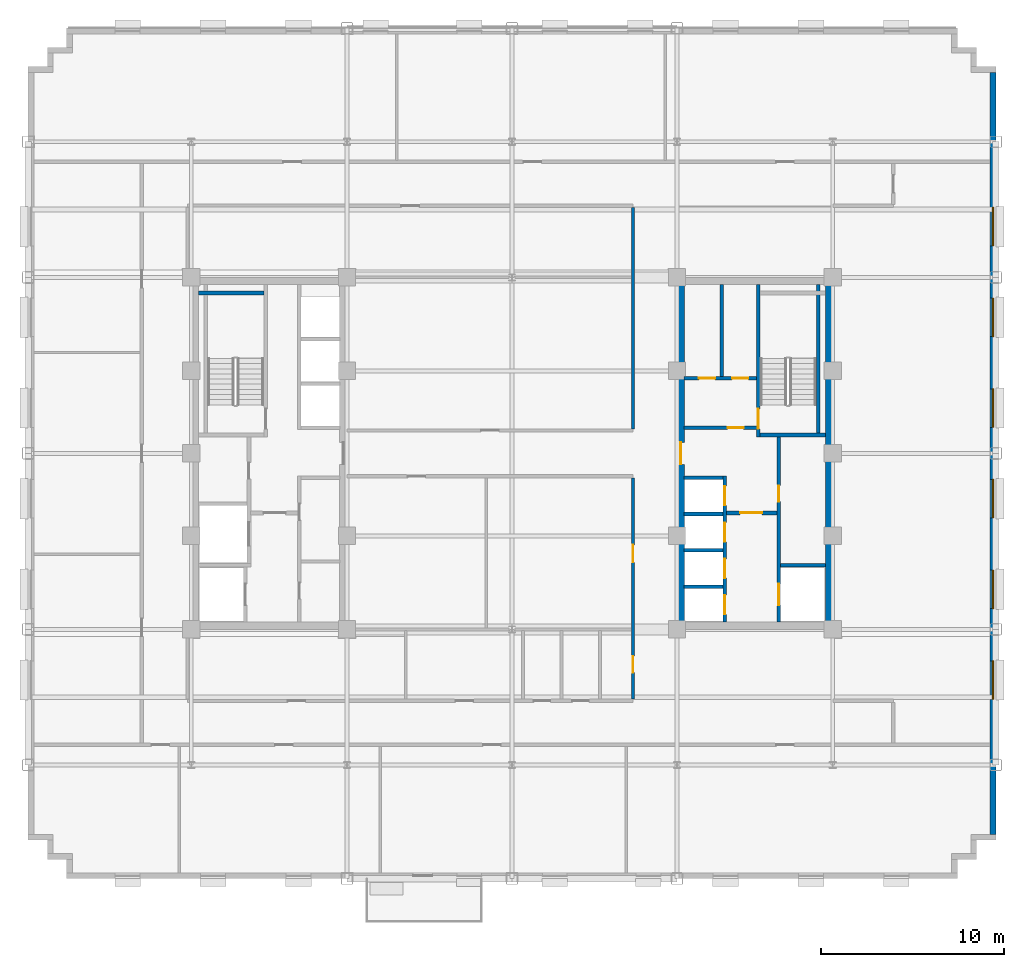
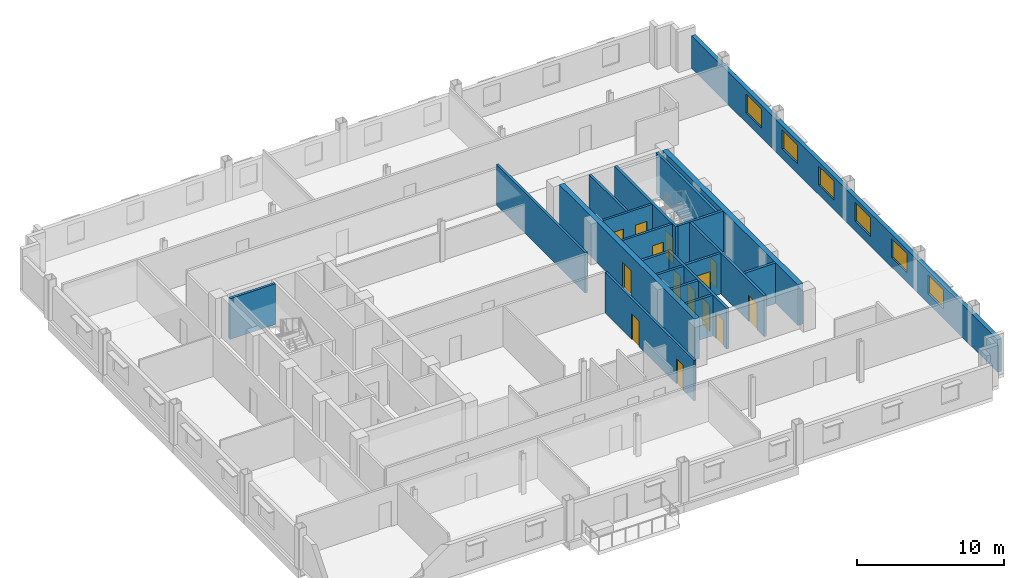
# One storey, part 8 of 13: 20 walls, 14 doors, 6 windows, 20 openings.
"""IFC4 building model written with IfcOpenShell, lengths in metres."""

from ifc_helpers import new_model, si_unit, direction, frame, frame_2d, origin, place, context, subcontext, project, spatial, rectangle, extrude, source, transform, mapped, material, layer, layer_set, type_object, type_shapes, element, fill, save


model = new_model("IFC4")

# Units and contexts
model_context = context("Model", 3, precision=1e-05, world=origin(), true_north=direction((0.0, 1.0)))
body_context = subcontext(model_context, "Body", "Model", "MODEL_VIEW")
ifc_project = project(units=[si_unit("LENGTHUNIT", "METRE"), si_unit("AREAUNIT", "SQUARE_METRE"), si_unit("VOLUMEUNIT", "CUBIC_METRE"), si_unit("PLANEANGLEUNIT", "RADIAN"), si_unit("MASSUNIT", "GRAM", prefix="KILO")], contexts=[model_context])

# Site, building, storey
site_placement = place(None, origin())
site = spatial("IfcSite", under=ifc_project, at=site_placement, CompositionType="ELEMENT")
building_placement = place(site_placement, origin())
building = spatial("IfcBuilding", under=site, at=building_placement, Name="Nuvemarco Arch Tower", CompositionType="ELEMENT")
storey_placement = place(building_placement, frame((0.0, 0.0, 149.39990234375)))
storey = spatial("IfcBuildingStorey", under=building, at=storey_placement, Name="L39", CompositionType="ELEMENT", Elevation=149.39990234375)

# Wall, openings, windows
ifc_material_1 = material(Name="Precast concrete C45/55", Category="concrete")
ifc_layer_1 = layer(ifc_material_1, 0.320068359375, Name="EW-MID-320")
ifc_layer_set_1 = layer_set([ifc_layer_1], Name="Precast concrete C45/55")
wall_type_1 = type_object("IfcWallType", Name="EW-MID-320", PredefinedType="STANDARD", material=ifc_layer_set_1)
wall_1_placement = place(storey_placement, frame((26.239990234375, -20.783935546875, 0.0), z_axis=(0.0, 0.0, 1.0), x_axis=(0.0, 1.0, 0.0)))
wall_1 = element("IfcWall", 1, at=wall_1_placement, inside=storey, type_object=wall_type_1, Name="L39 exterior precast facade wall 6", PredefinedType="STANDARD", context=body_context, shape_type="SweptSolid", body=[
    extrude(rectangle(XDim=41.56787109375, YDim=0.320068359375, at=frame_2d((20.783935546875, 0.0))), origin(), (0.0, 0.0, 1.0), 2.705078125),
])
opening_1_placement = place(wall_1_placement, frame((7.368896484375, 0.0, 0.800048828125)))
opening_1 = element("IfcOpeningElement", 2, at=opening_1_placement, cuts=wall_1, Name="Opening WN-5", PredefinedType="OPENING", context=body_context, shape_type="SweptSolid", body=[
    extrude(rectangle(XDim=2.10009765625, YDim=1.56005859375, at=frame_2d((1.050048828125, 0.780029296875))), frame((0.0, 0.169921875, 0.0), z_axis=(0.0, -1.0, 0.0), x_axis=(1.0, 0.0, 0.0)), (0.0, 0.0, 1.0), 0.340087890625),
])
opening_2_placement = place(wall_1_placement, frame((12.31494140625, 0.0, 0.800048828125)))
opening_2 = element("IfcOpeningElement", 3, at=opening_2_placement, cuts=wall_1, Name="Opening WN-5", PredefinedType="OPENING", context=body_context, shape_type="SweptSolid", body=[
    extrude(rectangle(XDim=2.10009765625, YDim=1.56005859375, at=frame_2d((1.050048828125, 0.780029296875))), frame((0.0, 0.169921875, 0.0), z_axis=(0.0, -1.0, 0.0), x_axis=(1.0, 0.0, 0.0)), (0.0, 0.0, 1.0), 0.340087890625),
])
opening_3_placement = place(wall_1_placement, frame((17.260986328125, 0.0, 0.800048828125)))
opening_3 = element("IfcOpeningElement", 4, at=opening_3_placement, cuts=wall_1, Name="Opening WN-5", PredefinedType="OPENING", context=body_context, shape_type="SweptSolid", body=[
    extrude(rectangle(XDim=2.10009765625, YDim=1.56005859375, at=frame_2d((1.050048828125, 0.780029296875))), frame((0.0, 0.169921875, 0.0), z_axis=(0.0, -1.0, 0.0), x_axis=(1.0, 0.0, 0.0)), (0.0, 0.0, 1.0), 0.340087890625),
])
opening_4_placement = place(wall_1_placement, frame((22.20703125, 0.0, 0.800048828125)))
opening_4 = element("IfcOpeningElement", 5, at=opening_4_placement, cuts=wall_1, Name="Opening WN-5", PredefinedType="OPENING", context=body_context, shape_type="SweptSolid", body=[
    extrude(rectangle(XDim=2.10009765625, YDim=1.56005859375, at=frame_2d((1.050048828125, 0.780029296875))), frame((0.0, 0.169921875, 0.0), z_axis=(0.0, -1.0, 0.0), x_axis=(1.0, 0.0, 0.0)), (0.0, 0.0, 1.0), 0.340087890625),
])
opening_5_placement = place(wall_1_placement, frame((27.153076171875, 0.0, 0.800048828125)))
opening_5 = element("IfcOpeningElement", 6, at=opening_5_placement, cuts=wall_1, Name="Opening WN-5", PredefinedType="OPENING", context=body_context, shape_type="SweptSolid", body=[
    extrude(rectangle(XDim=2.10009765625, YDim=1.56005859375, at=frame_2d((1.050048828125, 0.780029296875))), frame((0.0, 0.169921875, 0.0), z_axis=(0.0, -1.0, 0.0), x_axis=(1.0, 0.0, 0.0)), (0.0, 0.0, 1.0), 0.340087890625),
])
opening_6_placement = place(wall_1_placement, frame((32.09912109375, 0.0, 0.800048828125)))
opening_6 = element("IfcOpeningElement", 7, at=opening_6_placement, cuts=wall_1, Name="Opening WN-5", PredefinedType="OPENING", context=body_context, shape_type="SweptSolid", body=[
    extrude(rectangle(XDim=2.10009765625, YDim=1.56005859375, at=frame_2d((1.050048828125, 0.780029296875))), frame((0.0, 0.169921875, 0.0), z_axis=(0.0, -1.0, 0.0), x_axis=(1.0, 0.0, 0.0)), (0.0, 0.0, 1.0), 0.340087890625),
])
ifc_material_2 = material(Name="Insulated solar-control glass", Category="glass")
window_type = type_object("IfcWindowType", Name="WN-MID-2100x1560", PartitioningType="DOUBLE_PANEL_VERTICAL", PredefinedType="WINDOW", material=ifc_material_2)
shared_shape_1 = source(origin(), body_context, "Body", "SweptSolid", [
    extrude(rectangle(XDim=2.10009765625, YDim=1.56005859375, at=frame_2d((1.050048828125, 0.780029296875))), frame((0.0, 0.030029296875, 0.0), z_axis=(0.0, -1.0, 0.0), x_axis=(1.0, 0.0, 0.0)), (0.0, 0.0, 1.0), 0.06005859375),
])
type_shapes(window_type, [shared_shape_1])
window_1_placement = place(opening_1_placement, origin())
window_1 = element("IfcWindow", 8, at=window_1_placement, inside=storey, type_object=window_type, Name="L39 punched facade window 2", OverallHeight=1.56005859375, OverallWidth=2.10009765625, PartitioningType="SINGLE_PANEL", PredefinedType="WINDOW", context=body_context, shape_type="MappedRepresentation", body=[
    mapped(shared_shape_1, transform((0.0, 0.0, 0.0), scale=1.0)),
])
fill(opening_1, window_1)
window_2_placement = place(opening_2_placement, origin())
window_2 = element("IfcWindow", 9, at=window_2_placement, inside=storey, type_object=window_type, Name="L39 punched facade window 3", OverallHeight=1.56005859375, OverallWidth=2.10009765625, PartitioningType="SINGLE_PANEL", PredefinedType="WINDOW", context=body_context, shape_type="MappedRepresentation", body=[
    mapped(shared_shape_1, transform((0.0, 0.0, 0.0), scale=1.0)),
])
fill(opening_2, window_2)
window_3_placement = place(opening_3_placement, origin())
window_3 = element("IfcWindow", 10, at=window_3_placement, inside=storey, type_object=window_type, Name="L39 punched facade window 4", OverallHeight=1.56005859375, OverallWidth=2.10009765625, PartitioningType="SINGLE_PANEL", PredefinedType="WINDOW", context=body_context, shape_type="MappedRepresentation", body=[
    mapped(shared_shape_1, transform((0.0, 0.0, 0.0), scale=1.0)),
])
fill(opening_3, window_3)
window_4_placement = place(opening_4_placement, origin())
window_4 = element("IfcWindow", 11, at=window_4_placement, inside=storey, type_object=window_type, Name="L39 punched facade window 5", OverallHeight=1.56005859375, OverallWidth=2.10009765625, PartitioningType="SINGLE_PANEL", PredefinedType="WINDOW", context=body_context, shape_type="MappedRepresentation", body=[
    mapped(shared_shape_1, transform((0.0, 0.0, 0.0), scale=1.0)),
])
fill(opening_4, window_4)
window_5_placement = place(opening_5_placement, origin())
window_5 = element("IfcWindow", 12, at=window_5_placement, inside=storey, type_object=window_type, Name="L39 punched facade window 6", OverallHeight=1.56005859375, OverallWidth=2.10009765625, PartitioningType="SINGLE_PANEL", PredefinedType="WINDOW", context=body_context, shape_type="MappedRepresentation", body=[
    mapped(shared_shape_1, transform((0.0, 0.0, 0.0), scale=1.0)),
])
fill(opening_5, window_5)
window_6_placement = place(opening_6_placement, origin())
window_6 = element("IfcWindow", 13, at=window_6_placement, inside=storey, type_object=window_type, Name="L39 punched facade window 7", OverallHeight=1.56005859375, OverallWidth=2.10009765625, PartitioningType="SINGLE_PANEL", PredefinedType="WINDOW", context=body_context, shape_type="MappedRepresentation", body=[
    mapped(shared_shape_1, transform((0.0, 0.0, 0.0), scale=1.0)),
])
fill(opening_6, window_6)

# Wall, opening, door
ifc_material_3 = material(Name="Concrete C60/75", Category="concrete")
ifc_layer_2 = layer(ifc_material_3, 0.39990234375, Name="WL-CORE-400")
ifc_layer_set_2 = layer_set([ifc_layer_2], Name="Concrete C60/75")
wall_type_2 = type_object("IfcWallType", Name="WL-CORE-400", PredefinedType="SHEAR", material=ifc_layer_set_2)
wall_2_placement = place(storey_placement, frame((9.199951171875, -9.205078125, 0.0), z_axis=(0.0, 0.0, 1.0), x_axis=(0.0, 1.0, 0.0)))
wall_2 = element("IfcWall", 14, at=wall_2_placement, inside=storey, type_object=wall_type_2, Name="L39 E-core shear wall W", PredefinedType="SHEAR", context=body_context, shape_type="SweptSolid", body=[
    extrude(rectangle(XDim=18.41015625, YDim=0.39990234375, at=frame_2d((9.205078125, 0.0))), origin(), (0.0, 0.0, 1.0), 3.3701171875),
])
opening_7_placement = place(wall_2_placement, frame((8.60498046875, 0.0, 0.0)))
opening_7 = element("IfcOpeningElement", 15, at=opening_7_placement, cuts=wall_2, Name="Opening FD-2", PredefinedType="OPENING", context=body_context, shape_type="SweptSolid", body=[
    extrude(rectangle(XDim=1.199951171875, YDim=2.14990234375, at=frame_2d((0.60009765625, 1.074951171875))), frame((0.0, 0.2099609375, 0.0), z_axis=(0.0, -1.0, 0.0), x_axis=(1.0, 0.0, 0.0)), (0.0, 0.0, 1.0), 0.419921875),
])
ifc_material_4 = material(Name="Anodised steel fire door", Category="steel")
door_type_1 = type_object("IfcDoorType", Name="DR-FFLOB-FD", OperationType="NOTDEFINED", PredefinedType="DOOR", material=ifc_material_4)
shared_shape_2 = source(origin(), body_context, "Body", "SweptSolid", [
    extrude(rectangle(XDim=1.199951171875, YDim=2.14990234375, at=frame_2d((0.60009765625, 1.074951171875))), frame((0.0, 0.02490234375, 0.0), z_axis=(0.0, -1.0, 0.0), x_axis=(1.0, 0.0, 0.0)), (0.0, 0.0, 1.0), 0.050048828125),
])
type_shapes(door_type_1, [shared_shape_2])
door_1_placement = place(opening_7_placement, origin())
door_1 = element("IfcDoor", 16, at=door_1_placement, inside=storey, type_object=door_type_1, Name="L39 door FD-L39-ECORE-W", OperationType="SINGLE_SWING_RIGHT", OverallHeight=2.14990234375, OverallWidth=1.199951171875, PredefinedType="DOOR", context=body_context, shape_type="MappedRepresentation", body=[
    mapped(shared_shape_2, transform((0.0, 0.0, 0.0), scale=1.0)),
])
fill(opening_7, door_1)

# Wall
wall_3_placement = place(storey_placement, frame((17.300048828125, -9.205078125, 0.0), z_axis=(0.0, 0.0, 1.0), x_axis=(0.0, 1.0, 0.0)))
element("IfcWall", 17, at=wall_3_placement, inside=storey, type_object=wall_type_2, Name="L39 E-core shear wall E", PredefinedType="SHEAR", context=body_context, shape_type="SweptSolid", body=[
    extrude(rectangle(XDim=18.41015625, YDim=0.39990234375, at=frame_2d((9.205078125, 0.0))), origin(), (0.0, 0.0, 1.0), 3.3701171875),
])

# Wall, opening, door
ifc_material_5 = material(Name="Fire-rated gypsum drywall partition")
ifc_layer_3 = layer(ifc_material_5, 0.179931640625, Name="WL-CORR-180")
ifc_layer_set_3 = layer_set([ifc_layer_3], Name="Fire-rated gypsum drywall partition")
wall_type_3 = type_object("IfcWallType", Name="WL-CORR-180", PredefinedType="PARTITIONING", material=ifc_layer_set_3)
wall_4_placement = place(storey_placement, frame((9.39501953125, 1.39990234375, 0.0), z_axis=(0.0, 0.0, 1.0), x_axis=(1.0, 0.0, 0.0)))
wall_4 = element("IfcWall", 18, at=wall_4_placement, inside=storey, type_object=wall_type_3, Name="L39 interior wall IW-L39-EK-S", PredefinedType="PARTITIONING", context=body_context, shape_type="SweptSolid", body=[
    extrude(rectangle(XDim=3.949951171875, YDim=0.179931640625, at=frame_2d((1.97509765625, 0.0))), origin(), (0.0, 0.0, 1.0), 3.360107421875),
])
opening_8_placement = place(wall_4_placement, frame((2.364990234375, 0.0, 0.0)))
opening_8 = element("IfcOpeningElement", 19, at=opening_8_placement, cuts=wall_4, Name="Opening FD-4", PredefinedType="OPENING", context=body_context, shape_type="SweptSolid", body=[
    extrude(rectangle(XDim=0.8798828125, YDim=2.10009765625, at=frame_2d((0.43994140625, 1.050048828125))), frame((0.0, 0.099853515625, 0.0), z_axis=(0.0, -1.0, 0.0), x_axis=(1.0, 0.0, 0.0)), (0.0, 0.0, 1.0), 0.199951171875),
])
door_type_2 = type_object("IfcDoorType", Name="DR-RISER-FD", OperationType="NOTDEFINED", PredefinedType="DOOR", material=ifc_material_4)
shared_shape_3 = source(origin(), body_context, "Body", "SweptSolid", [
    extrude(rectangle(XDim=0.8798828125, YDim=2.10009765625, at=frame_2d((0.43994140625, 1.050048828125))), frame((0.0, 0.02490234375, 0.0), z_axis=(0.0, -1.0, 0.0), x_axis=(1.0, 0.0, 0.0)), (0.0, 0.0, 1.0), 0.050048828125),
])
type_shapes(door_type_2, [shared_shape_3])
door_2_placement = place(opening_8_placement, origin())
door_2 = element("IfcDoor", 20, at=door_2_placement, inside=storey, type_object=door_type_2, Name="L39 door FD-L39-EK3A", OperationType="SINGLE_SWING_LEFT", OverallHeight=2.10009765625, OverallWidth=0.8798828125, PredefinedType="DOOR", context=body_context, shape_type="MappedRepresentation", body=[
    mapped(shared_shape_3, transform((0.0, 0.0, 0.0), scale=1.0)),
])
fill(opening_8, door_2)

# Wall, openings, doors
wall_5_placement = place(storey_placement, frame((9.39501953125, 4.10009765625, 0.0), z_axis=(0.0, 0.0, 1.0), x_axis=(1.0, 0.0, 0.0)))
wall_5 = element("IfcWall", 21, at=wall_5_placement, inside=storey, type_object=wall_type_3, Name="L39 interior wall IW-L39-EK3H", PredefinedType="PARTITIONING", context=body_context, shape_type="SweptSolid", body=[
    extrude(rectangle(XDim=3.949951171875, YDim=0.179931640625, at=frame_2d((1.97509765625, 0.0))), origin(), (0.0, 0.0, 1.0), 3.360107421875),
])
opening_9_placement = place(wall_5_placement, frame((0.800048828125, 0.0, 0.0)))
opening_9 = element("IfcOpeningElement", 22, at=opening_9_placement, cuts=wall_5, Name="Opening FD-4", PredefinedType="OPENING", context=body_context, shape_type="SweptSolid", body=[
    extrude(rectangle(XDim=0.8798828125, YDim=2.10009765625, at=frame_2d((0.43994140625, 1.050048828125))), frame((0.0, 0.099853515625, 0.0), z_axis=(0.0, -1.0, 0.0), x_axis=(1.0, 0.0, 0.0)), (0.0, 0.0, 1.0), 0.199951171875),
])
opening_10_placement = place(wall_5_placement, frame((2.614990234375, 0.0, 0.0)))
opening_10 = element("IfcOpeningElement", 23, at=opening_10_placement, cuts=wall_5, Name="Opening FD-4", PredefinedType="OPENING", context=body_context, shape_type="SweptSolid", body=[
    extrude(rectangle(XDim=0.8798828125, YDim=2.10009765625, at=frame_2d((0.43994140625, 1.050048828125))), frame((0.0, 0.099853515625, 0.0), z_axis=(0.0, -1.0, 0.0), x_axis=(1.0, 0.0, 0.0)), (0.0, 0.0, 1.0), 0.199951171875),
])
door_3_placement = place(opening_9_placement, origin())
door_3 = element("IfcDoor", 24, at=door_3_placement, inside=storey, type_object=door_type_2, Name="L39 door FD-L39-EK3B", OperationType="SINGLE_SWING_RIGHT", OverallHeight=2.10009765625, OverallWidth=0.8798828125, PredefinedType="DOOR", context=body_context, shape_type="MappedRepresentation", body=[
    mapped(shared_shape_3, transform((0.0, 0.0, 0.0), scale=1.0)),
])
fill(opening_9, door_3)
door_4_placement = place(opening_10_placement, origin())
door_4 = element("IfcDoor", 25, at=door_4_placement, inside=storey, type_object=door_type_2, Name="L39 door FD-L39-EK3C", OperationType="SINGLE_SWING_LEFT", OverallHeight=2.10009765625, OverallWidth=0.8798828125, PredefinedType="DOOR", context=body_context, shape_type="MappedRepresentation", body=[
    mapped(shared_shape_3, transform((0.0, 0.0, 0.0), scale=1.0)),
])
fill(opening_10, door_4)

# Wall
wall_6_placement = place(storey_placement, frame((11.449951171875, 4.18994140625, 0.0), z_axis=(0.0, 0.0, 1.0), x_axis=(0.0, 1.0, 0.0)))
element("IfcWall", 26, at=wall_6_placement, inside=storey, type_object=wall_type_3, Name="L39 interior wall IW-L39-EK3V", PredefinedType="PARTITIONING", context=body_context, shape_type="SweptSolid", body=[
    extrude(rectangle(XDim=5.01513671875, YDim=0.179931640625, at=frame_2d((2.507568359375, 0.0))), origin(), (0.0, 0.0, 1.0), 3.360107421875),
])

# Wall, openings, doors
wall_7_placement = place(storey_placement, frame((6.60009765625, -13.4140625, 0.0), z_axis=(0.0, 0.0, 1.0), x_axis=(0.0, 1.0, 0.0)))
wall_7 = element("IfcWall", 27, at=wall_7_placement, inside=storey, type_object=wall_type_3, Name="L39 interior wall IW-L39-027", PredefinedType="PARTITIONING", context=body_context, shape_type="SweptSolid", body=[
    extrude(rectangle(XDim=12.078125, YDim=0.179931640625, at=frame_2d((6.0390625, 0.0))), origin(), (0.0, 0.0, 1.0), 3.360107421875),
])
opening_11_placement = place(wall_7_placement, frame((7.466064453125, 0.0, 0.0)))
opening_11 = element("IfcOpeningElement", 28, at=opening_11_placement, cuts=wall_7, Name="Opening FD-5", PredefinedType="OPENING", context=body_context, shape_type="SweptSolid", body=[
    extrude(rectangle(XDim=0.9599609375, YDim=2.10009765625, at=frame_2d((0.47998046875, 1.050048828125))), frame((0.0, 0.099853515625, 0.0), z_axis=(0.0, -1.0, 0.0), x_axis=(1.0, 0.0, 0.0)), (0.0, 0.0, 1.0), 0.199951171875),
])
opening_12_placement = place(wall_7_placement, frame((1.45703125, 0.0, 0.0)))
opening_12 = element("IfcOpeningElement", 29, at=opening_12_placement, cuts=wall_7, Name="Opening ID-3", PredefinedType="OPENING", context=body_context, shape_type="SweptSolid", body=[
    extrude(rectangle(XDim=0.89990234375, YDim=2.10009765625, at=frame_2d((0.449951171875, 1.050048828125))), frame((0.0, 0.099853515625, 0.0), z_axis=(0.0, -1.0, 0.0), x_axis=(1.0, 0.0, 0.0)), (0.0, 0.0, 1.0), 0.199951171875),
])
ifc_material_6 = material(Name="Timber fire door", Category="wood")
door_type_3 = type_object("IfcDoorType", Name="DR-CORR-FD", OperationType="NOTDEFINED", PredefinedType="DOOR", material=ifc_material_6)
shared_shape_4 = source(origin(), body_context, "Body", "SweptSolid", [
    extrude(rectangle(XDim=0.9599609375, YDim=2.10009765625, at=frame_2d((0.47998046875, 1.050048828125))), frame((0.0, 0.02490234375, 0.0), z_axis=(0.0, -1.0, 0.0), x_axis=(1.0, 0.0, 0.0)), (0.0, 0.0, 1.0), 0.050048828125),
])
type_shapes(door_type_3, [shared_shape_4])
door_5_placement = place(opening_11_placement, origin())
door_5 = element("IfcDoor", 30, at=door_5_placement, inside=storey, type_object=door_type_3, Name="L39 door DR-L39-C_S2", OperationType="SINGLE_SWING_RIGHT", OverallHeight=2.10009765625, OverallWidth=0.9599609375, PredefinedType="DOOR", context=body_context, shape_type="MappedRepresentation", body=[
    mapped(shared_shape_4, transform((0.0, 0.0, 0.0), scale=1.0)),
])
fill(opening_11, door_5)
ifc_material_7 = material(Name="Veneered oak timber fire door", Category="wood")
door_type_4 = type_object("IfcDoorType", Name="DR-WC-ACC", OperationType="NOTDEFINED", PredefinedType="DOOR", material=ifc_material_7)
shared_shape_5 = source(origin(), body_context, "Body", "SweptSolid", [
    extrude(rectangle(XDim=0.89990234375, YDim=2.10009765625, at=frame_2d((0.449951171875, 1.050048828125))), frame((0.0, 0.02490234375, 0.0), z_axis=(0.0, -1.0, 0.0), x_axis=(1.0, 0.0, 0.0)), (0.0, 0.0, 1.0), 0.050048828125),
])
type_shapes(door_type_4, [shared_shape_5])
door_6_placement = place(opening_12_placement, origin())
door_6 = element("IfcDoor", 31, at=door_6_placement, inside=storey, type_object=door_type_4, Name="L39 door DR-L39-WC_ACC", OperationType="SINGLE_SWING_LEFT", OverallHeight=2.10009765625, OverallWidth=0.89990234375, PredefinedType="DOOR", context=body_context, shape_type="MappedRepresentation", body=[
    mapped(shared_shape_5, transform((0.0, 0.0, 0.0), scale=1.0)),
])
fill(opening_12, door_6)

# Walls
wall_8_placement = place(storey_placement, frame((6.60009765625, 1.3359375, 0.0), z_axis=(0.0, 0.0, 1.0), x_axis=(0.0, 1.0, 0.0)))
element("IfcWall", 32, at=wall_8_placement, inside=storey, type_object=wall_type_3, Name="L39 interior wall IW-L39-028", PredefinedType="PARTITIONING", context=body_context, shape_type="SweptSolid", body=[
    extrude(rectangle(XDim=12.078125, YDim=0.179931640625, at=frame_2d((6.0390625, 0.0))), origin(), (0.0, 0.0, 1.0), 3.360107421875),
])
ifc_material_8 = material(Name="Concrete C50/60", Category="concrete")
ifc_layer_4 = layer(ifc_material_8, 0.199951171875, Name="WL-SHAFT-220")
ifc_layer_set_4 = layer_set([ifc_layer_4], Name="Concrete C50/60")
wall_type_4 = type_object("IfcWallType", Name="WL-SHAFT-220", PredefinedType="SHEAR", material=ifc_layer_set_4)
wall_9_placement = place(storey_placement, frame((-17.10498046875, 8.75, 0.0), z_axis=(0.0, 0.0, 1.0), x_axis=(1.0, 0.0, 0.0)))
element("IfcWall", 33, at=wall_9_placement, inside=storey, type_object=wall_type_4, Name="L39 structural shaft wall SW-L39-W-ST1N", PredefinedType="SHEAR", context=body_context, shape_type="SweptSolid", body=[
    extrude(rectangle(XDim=3.570068359375, YDim=0.199951171875, at=frame_2d((1.78515625, 0.0))), origin(), (0.0, 0.0, 1.0), 3.3701171875),
])

# Wall, opening, door
wall_10_placement = place(storey_placement, frame((13.43994140625, 0.89990234375, 0.0), z_axis=(0.0, 0.0, 1.0), x_axis=(0.0, 1.0, 0.0)))
wall_10 = element("IfcWall", 34, at=wall_10_placement, inside=storey, type_object=wall_type_4, Name="L39 structural shaft wall SW-L39-E-ST2W", PredefinedType="SHEAR", context=body_context, shape_type="SweptSolid", body=[
    extrude(rectangle(XDim=8.30517578125, YDim=0.199951171875, at=frame_2d((4.152587890625, 0.0))), origin(), (0.0, 0.0, 1.0), 3.3701171875),
])
opening_13_placement = place(wall_10_placement, frame((0.429931640625, 0.0, 0.0)))
opening_13 = element("IfcOpeningElement", 35, at=opening_13_placement, cuts=wall_10, Name="Opening FD-1", PredefinedType="OPENING", context=body_context, shape_type="SweptSolid", body=[
    extrude(rectangle(XDim=1.10009765625, YDim=2.14990234375, at=frame_2d((0.550048828125, 1.074951171875))), frame((0.0, 0.10986328125, 0.0), z_axis=(0.0, -1.0, 0.0), x_axis=(1.0, 0.0, 0.0)), (0.0, 0.0, 1.0), 0.219970703125),
])
door_type_5 = type_object("IfcDoorType", Name="DR-STAIR-FD", OperationType="NOTDEFINED", PredefinedType="DOOR", material=ifc_material_4)
shared_shape_6 = source(origin(), body_context, "Body", "SweptSolid", [
    extrude(rectangle(XDim=1.10009765625, YDim=2.14990234375, at=frame_2d((0.550048828125, 1.074951171875))), frame((0.0, 0.02490234375, 0.0), z_axis=(0.0, -1.0, 0.0), x_axis=(1.0, 0.0, 0.0)), (0.0, 0.0, 1.0), 0.050048828125),
])
type_shapes(door_type_5, [shared_shape_6])
door_7_placement = place(opening_13_placement, origin())
door_7 = element("IfcDoor", 36, at=door_7_placement, inside=storey, type_object=door_type_5, Name="L39 door FD-L39-ST2", OperationType="SINGLE_SWING_RIGHT", OverallHeight=2.14990234375, OverallWidth=1.10009765625, PredefinedType="DOOR", context=body_context, shape_type="MappedRepresentation", body=[
    mapped(shared_shape_6, transform((0.0, 0.0, 0.0), scale=1.0)),
])
fill(opening_13, door_7)

# Walls
wall_11_placement = place(storey_placement, frame((13.534912109375, 1.0, 0.0), z_axis=(0.0, 0.0, 1.0), x_axis=(1.0, 0.0, 0.0)))
element("IfcWall", 37, at=wall_11_placement, inside=storey, type_object=wall_type_4, Name="L39 structural shaft wall SW-L39-E-ST2S", PredefinedType="SHEAR", context=body_context, shape_type="SweptSolid", body=[
    extrude(rectangle(XDim=3.570068359375, YDim=0.199951171875, at=frame_2d((1.78515625, 0.0))), origin(), (0.0, 0.0, 1.0), 3.3701171875),
])
wall_12_placement = place(storey_placement, frame((16.699951171875, 1.094970703125, 0.0), z_axis=(0.0, 0.0, 1.0), x_axis=(0.0, 1.0, 0.0)))
element("IfcWall", 38, at=wall_12_placement, inside=storey, type_object=wall_type_4, Name="L39 structural shaft wall SW-L39-E-ST2E", PredefinedType="SHEAR", context=body_context, shape_type="SweptSolid", body=[
    extrude(rectangle(XDim=8.110107421875, YDim=0.199951171875, at=frame_2d((4.05517578125, 0.0))), origin(), (0.0, 0.0, 1.0), 3.3701171875),
])

# Wall, openings, doors
wall_13_placement = place(storey_placement, frame((14.550048828125, -9.205078125, 0.0), z_axis=(0.0, 0.0, 1.0), x_axis=(0.0, 1.0, 0.0)))
wall_13 = element("IfcWall", 39, at=wall_13_placement, inside=storey, type_object=wall_type_4, Name="L39 structural shaft wall SW-L39-E-SHW", PredefinedType="SHEAR", context=body_context, shape_type="SweptSolid", body=[
    extrude(rectangle(XDim=10.110107421875, YDim=0.199951171875, at=frame_2d((5.05517578125, 0.0))), origin(), (0.0, 0.0, 1.0), 3.3701171875),
])
opening_14_placement = place(wall_13_placement, frame((6.56494140625, 0.0, 0.0)))
opening_14 = element("IfcOpeningElement", 40, at=opening_14_placement, cuts=wall_13, Name="Opening FD-4", PredefinedType="OPENING", context=body_context, shape_type="SweptSolid", body=[
    extrude(rectangle(XDim=0.8798828125, YDim=2.10009765625, at=frame_2d((0.43994140625, 1.050048828125))), frame((0.0, 0.10986328125, 0.0), z_axis=(0.0, -1.0, 0.0), x_axis=(1.0, 0.0, 0.0)), (0.0, 0.0, 1.0), 0.219970703125),
])
opening_15_placement = place(wall_13_placement, frame((0.929931640625, 0.0, 0.0)))
opening_15 = element("IfcOpeningElement", 41, at=opening_15_placement, cuts=wall_13, Name="Opening LD-2", PredefinedType="OPENING", context=body_context, shape_type="SweptSolid", body=[
    extrude(rectangle(XDim=1.14990234375, YDim=2.14990234375, at=frame_2d((0.574951171875, 1.074951171875))), frame((0.0, 0.10986328125, 0.0), z_axis=(0.0, -1.0, 0.0), x_axis=(1.0, 0.0, 0.0)), (0.0, 0.0, 1.0), 0.219970703125),
])
door_8_placement = place(opening_14_placement, origin())
door_8 = element("IfcDoor", 42, at=door_8_placement, inside=storey, type_object=door_type_2, Name="L39 door FD-L39-ERIS", OperationType="SINGLE_SWING_RIGHT", OverallHeight=2.10009765625, OverallWidth=0.8798828125, PredefinedType="DOOR", context=body_context, shape_type="MappedRepresentation", body=[
    mapped(shared_shape_3, transform((0.0, 0.0, 0.0), scale=1.0)),
])
fill(opening_14, door_8)
ifc_material_9 = material(Name="Stainless steel lift door", Category="steel")
door_type_6 = type_object("IfcDoorType", Name="DR-LIFT-FIRE", OperationType="DOUBLE_DOOR_SLIDING", PredefinedType="DOOR", material=ifc_material_9)
shared_shape_7 = source(origin(), body_context, "Body", "SweptSolid", [
    extrude(rectangle(XDim=1.14990234375, YDim=2.14990234375, at=frame_2d((0.574951171875, 1.074951171875))), frame((0.0, 0.02490234375, 0.0), z_axis=(0.0, -1.0, 0.0), x_axis=(1.0, 0.0, 0.0)), (0.0, 0.0, 1.0), 0.050048828125),
])
type_shapes(door_type_6, [shared_shape_7])
door_9_placement = place(opening_15_placement, origin())
door_9 = element("IfcDoor", 43, at=door_9_placement, inside=storey, type_object=door_type_6, Name="L39 Lift landing sliding door FFL-2", OperationType="DOUBLE_DOOR_SLIDING", OverallHeight=2.14990234375, OverallWidth=1.14990234375, PredefinedType="DOOR", context=body_context, shape_type="MappedRepresentation", body=[
    mapped(shared_shape_7, transform((0.0, 0.0, 0.0), scale=1.0)),
])
fill(opening_15, door_9)

# Wall
wall_14_placement = place(storey_placement, frame((14.64501953125, -6.10009765625, 0.0), z_axis=(0.0, 0.0, 1.0), x_axis=(1.0, 0.0, 0.0)))
element("IfcWall", 44, at=wall_14_placement, inside=storey, type_object=wall_type_4, Name="L39 structural shaft wall SW-L39-E-SH1", PredefinedType="SHEAR", context=body_context, shape_type="SweptSolid", body=[
    extrude(rectangle(XDim=2.4599609375, YDim=0.199951171875, at=frame_2d((1.22998046875, 0.0))), origin(), (0.0, 0.0, 1.0), 3.3701171875),
])

# Wall, openings, doors
wall_15_placement = place(storey_placement, frame((11.60009765625, -9.205078125, 0.0), z_axis=(0.0, 0.0, 1.0), x_axis=(0.0, 1.0, 0.0)))
wall_15 = element("IfcWall", 45, at=wall_15_placement, inside=storey, type_object=wall_type_4, Name="L39 structural shaft wall SW-L39-E-PME", PredefinedType="SHEAR", context=body_context, shape_type="SweptSolid", body=[
    extrude(rectangle(XDim=7.97509765625, YDim=0.199951171875, at=frame_2d((3.987548828125, 0.0))), origin(), (0.0, 0.0, 1.0), 3.3701171875),
])
opening_16_placement = place(wall_15_placement, frame((0.419921875, 0.0, 0.0)))
opening_16 = element("IfcOpeningElement", 46, at=opening_16_placement, cuts=wall_15, Name="Opening LD-1", PredefinedType="OPENING", context=body_context, shape_type="SweptSolid", body=[
    extrude(rectangle(XDim=1.050048828125, YDim=2.14990234375, at=frame_2d((0.52490234375, 1.074951171875))), frame((0.0, 0.10986328125, 0.0), z_axis=(0.0, -1.0, 0.0), x_axis=(1.0, 0.0, 0.0)), (0.0, 0.0, 1.0), 0.219970703125),
])
opening_17_placement = place(wall_15_placement, frame((2.39990234375, 0.0, 0.0)))
opening_17 = element("IfcOpeningElement", 47, at=opening_17_placement, cuts=wall_15, Name="Opening LD-1", PredefinedType="OPENING", context=body_context, shape_type="SweptSolid", body=[
    extrude(rectangle(XDim=1.050048828125, YDim=2.14990234375, at=frame_2d((0.52490234375, 1.074951171875))), frame((0.0, 0.10986328125, 0.0), z_axis=(0.0, -1.0, 0.0), x_axis=(1.0, 0.0, 0.0)), (0.0, 0.0, 1.0), 0.219970703125),
])
opening_18_placement = place(wall_15_placement, frame((4.3798828125, 0.0, 0.0)))
opening_18 = element("IfcOpeningElement", 48, at=opening_18_placement, cuts=wall_15, Name="Opening LD-1", PredefinedType="OPENING", context=body_context, shape_type="SweptSolid", body=[
    extrude(rectangle(XDim=1.050048828125, YDim=2.14990234375, at=frame_2d((0.52490234375, 1.074951171875))), frame((0.0, 0.10986328125, 0.0), z_axis=(0.0, -1.0, 0.0), x_axis=(1.0, 0.0, 0.0)), (0.0, 0.0, 1.0), 0.219970703125),
])
opening_19_placement = place(wall_15_placement, frame((6.360107421875, 0.0, 0.0)))
opening_19 = element("IfcOpeningElement", 49, at=opening_19_placement, cuts=wall_15, Name="Opening LD-1", PredefinedType="OPENING", context=body_context, shape_type="SweptSolid", body=[
    extrude(rectangle(XDim=1.050048828125, YDim=2.14990234375, at=frame_2d((0.52490234375, 1.074951171875))), frame((0.0, 0.10986328125, 0.0), z_axis=(0.0, -1.0, 0.0), x_axis=(1.0, 0.0, 0.0)), (0.0, 0.0, 1.0), 0.219970703125),
])
door_type_7 = type_object("IfcDoorType", Name="DR-LIFT-PASS", OperationType="DOUBLE_DOOR_SLIDING", PredefinedType="DOOR", material=ifc_material_9)
shared_shape_8 = source(origin(), body_context, "Body", "SweptSolid", [
    extrude(rectangle(XDim=1.050048828125, YDim=2.14990234375, at=frame_2d((0.52490234375, 1.074951171875))), frame((0.0, 0.02490234375, 0.0), z_axis=(0.0, -1.0, 0.0), x_axis=(1.0, 0.0, 0.0)), (0.0, 0.0, 1.0), 0.050048828125),
])
type_shapes(door_type_7, [shared_shape_8])
door_10_placement = place(opening_16_placement, origin())
door_10 = element("IfcDoor", 50, at=door_10_placement, inside=storey, type_object=door_type_7, Name="L39 Lift landing sliding door PM-1", OperationType="DOUBLE_DOOR_SLIDING", OverallHeight=2.14990234375, OverallWidth=1.050048828125, PredefinedType="DOOR", context=body_context, shape_type="MappedRepresentation", body=[
    mapped(shared_shape_8, transform((0.0, 0.0, 0.0), scale=1.0)),
])
fill(opening_16, door_10)
door_11_placement = place(opening_17_placement, origin())
door_11 = element("IfcDoor", 51, at=door_11_placement, inside=storey, type_object=door_type_7, Name="L39 Lift landing sliding door PM-2", OperationType="DOUBLE_DOOR_SLIDING", OverallHeight=2.14990234375, OverallWidth=1.050048828125, PredefinedType="DOOR", context=body_context, shape_type="MappedRepresentation", body=[
    mapped(shared_shape_8, transform((0.0, 0.0, 0.0), scale=1.0)),
])
fill(opening_17, door_11)
door_12_placement = place(opening_18_placement, origin())
door_12 = element("IfcDoor", 52, at=door_12_placement, inside=storey, type_object=door_type_7, Name="L39 Lift landing sliding door PM-3", OperationType="DOUBLE_DOOR_SLIDING", OverallHeight=2.14990234375, OverallWidth=1.050048828125, PredefinedType="DOOR", context=body_context, shape_type="MappedRepresentation", body=[
    mapped(shared_shape_8, transform((0.0, 0.0, 0.0), scale=1.0)),
])
fill(opening_18, door_12)
door_13_placement = place(opening_19_placement, origin())
door_13 = element("IfcDoor", 53, at=door_13_placement, inside=storey, type_object=door_type_7, Name="L39 Lift landing sliding door PM-4", OperationType="DOUBLE_DOOR_SLIDING", OverallHeight=2.14990234375, OverallWidth=1.050048828125, PredefinedType="DOOR", context=body_context, shape_type="MappedRepresentation", body=[
    mapped(shared_shape_8, transform((0.0, 0.0, 0.0), scale=1.0)),
])
fill(opening_19, door_13)

# Wall, opening, door
wall_16_placement = place(storey_placement, frame((11.695068359375, -3.25, 0.0), z_axis=(0.0, 0.0, 1.0), x_axis=(1.0, 0.0, 0.0)))
wall_16 = element("IfcWall", 54, at=wall_16_placement, inside=storey, type_object=wall_type_4, Name="L39 structural shaft wall SW-L39-E-FFN", PredefinedType="SHEAR", context=body_context, shape_type="SweptSolid", body=[
    extrude(rectangle(XDim=2.760009765625, YDim=0.199951171875, at=frame_2d((1.3798828125, 0.0))), origin(), (0.0, 0.0, 1.0), 3.3701171875),
])
opening_20_placement = place(wall_16_placement, frame((0.7548828125, 0.0, 0.0)))
opening_20 = element("IfcOpeningElement", 55, at=opening_20_placement, cuts=wall_16, Name="Opening FD-2", PredefinedType="OPENING", context=body_context, shape_type="SweptSolid", body=[
    extrude(rectangle(XDim=1.199951171875, YDim=2.14990234375, at=frame_2d((0.60009765625, 1.074951171875))), frame((0.0, 0.10986328125, 0.0), z_axis=(0.0, -1.0, 0.0), x_axis=(1.0, 0.0, 0.0)), (0.0, 0.0, 1.0), 0.219970703125),
])
door_14_placement = place(opening_20_placement, origin())
door_14 = element("IfcDoor", 56, at=door_14_placement, inside=storey, type_object=door_type_1, Name="L39 door FD-L39-EFF2", OperationType="SINGLE_SWING_RIGHT", OverallHeight=2.14990234375, OverallWidth=1.199951171875, PredefinedType="DOOR", context=body_context, shape_type="MappedRepresentation", body=[
    mapped(shared_shape_2, transform((0.0, 0.0, 0.0), scale=1.0)),
])
fill(opening_20, door_14)

# Walls
for number, where, z_axis, x_axis, name in (
    (57, (9.39501953125, -7.27001953125, 0.0), (0.0, 0.0, 1.0), (1.0, 0.0, 0.0), "L39 structural shaft wall SW-L39-E-PMD1"),
    (58, (9.39501953125, -5.2900390625, 0.0), (0.0, 0.0, 1.0), (1.0, 0.0, 0.0), "L39 structural shaft wall SW-L39-E-PMD2"),
    (59, (9.39501953125, -3.31005859375, 0.0), (0.0, 0.0, 1.0), (1.0, 0.0, 0.0), "L39 structural shaft wall SW-L39-E-PMD3"),
    (60, (9.39501953125, -1.330078125, 0.0), (0.0, 0.0, 1.0), (1.0, 0.0, 0.0), "L39 structural shaft wall SW-L39-E-PMD4"),
):
    element("IfcWall", number, at=place(storey_placement, frame(where, z_axis=z_axis, x_axis=x_axis)), inside=storey, type_object=wall_type_4, Name=name, PredefinedType="SHEAR", context=body_context, shape_type="SweptSolid", body=[
        extrude(rectangle(XDim=2.10986328125, YDim=0.199951171875, at=frame_2d((1.054931640625, 0.0))), origin(), (0.0, 0.0, 1.0), 3.3701171875),
    ])

save(model, "model.ifc")
